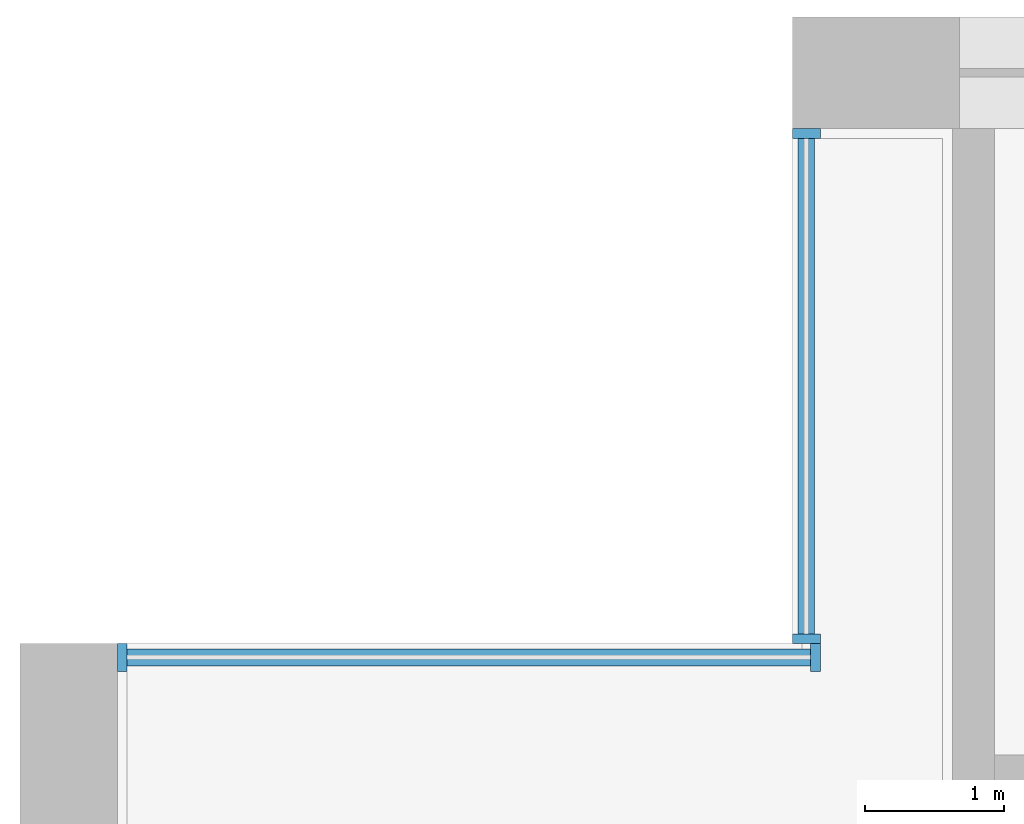
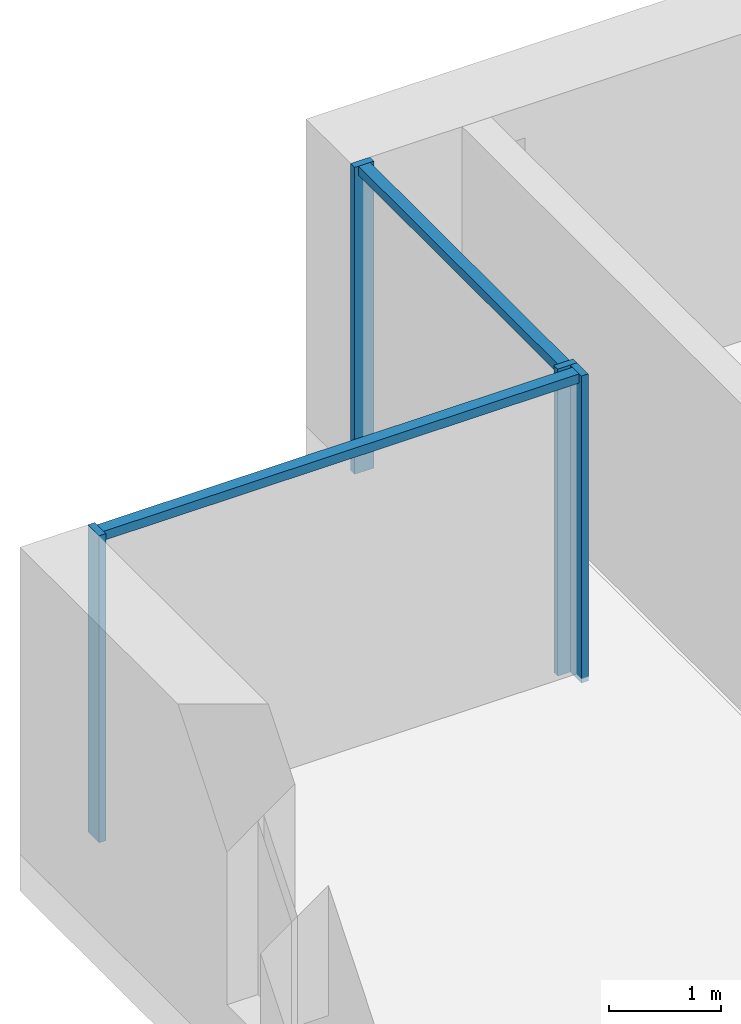
# One storey, part 4 of 17: 6 members, 2 elements without a shape of their own.
"""IFC4 building model written with IfcOpenShell, lengths in metres."""

from ifc_helpers import new_model, si_unit, direction, frame, origin, origin_2d, place, context, subcontext, project, spatial, rectangle, extrude, material, material_profile, profile_set, type_object, element, aggregate, save


model = new_model("IFC4")

# Units and contexts
model_context = context("Model", 3, precision=1e-05, world=origin(), true_north=direction((0.0, 1.0)))
body_context = subcontext(model_context, "Body", "Model", "MODEL_VIEW")
ifc_project = project(units=[si_unit("LENGTHUNIT", "METRE"), si_unit("AREAUNIT", "SQUARE_METRE"), si_unit("VOLUMEUNIT", "CUBIC_METRE"), si_unit("PLANEANGLEUNIT", "RADIAN"), si_unit("MASSUNIT", "GRAM", prefix="KILO")], contexts=[model_context])

# Site, building, storey
site_placement = place(None, origin())
site = spatial("IfcSite", under=ifc_project, at=site_placement, CompositionType="ELEMENT")
building_placement = place(site_placement, origin())
building = spatial("IfcBuilding", under=site, at=building_placement, Name="Calvaro Tower", CompositionType="ELEMENT")
storey_placement = place(building_placement, frame((0.0, 0.0, 102.5)))
storey = spatial("IfcBuildingStorey", under=building, at=storey_placement, Name="L25", CompositionType="ELEMENT", Elevation=102.5)

# Curtain wall, members
ifc_material_1 = material(Name="Anodised aluminium", Category="aluminium")
curtain_wall_type = type_object("IfcCurtainWallType", Name="Office curtain wall, middle zone", PredefinedType="NOTDEFINED", material=ifc_material_1)
curtain_wall_1_placement = place(storey_placement, origin())
curtain_wall_1 = element("IfcCurtainWall", 1, at=curtain_wall_1_placement, inside=storey, type_object=curtain_wall_type, Name="CW2 corner curtain wall", PredefinedType="NOTDEFINED")
ifc_material_2 = material(Name="Anodised aluminium", Category="aluminium")
ifc_material_profile_1 = material_profile(ifc_material_2, rectangle(XDim=0.199951171875, YDim=0.070068359375, at=origin_2d()), Name="Mullion S2 70 x 200")
ifc_profile_set_1 = profile_set([ifc_material_profile_1], Name="Anodised aluminium")
member_type_1 = type_object("IfcMemberType", Name="Mullion S2 70 x 200", PredefinedType="MULLION", material=ifc_profile_set_1)
member_1_placement = place(storey_placement, frame((5.64990234375, 41.534912109375, 0.0), z_axis=(0.0, 0.0, 1.0), x_axis=(-1.0, 0.0, 0.0)))
member_1 = element("IfcMember", 2, at=member_1_placement, type_object=member_type_1, Name="CW2 mullion 1", PredefinedType="MULLION", context=body_context, shape_type="SweptSolid", body=[
    extrude(rectangle(XDim=0.199951171875, YDim=0.070068359375, at=origin_2d()), origin(), (0.0, 0.0, 1.0), 3.35009765625),
])
member_2_placement = place(storey_placement, frame((5.64990234375, 45.1650390625, 0.0), z_axis=(0.0, 0.0, 1.0), x_axis=(-1.0, 0.0, 0.0)))
member_2 = element("IfcMember", 3, at=member_2_placement, type_object=member_type_1, Name="CW2 mullion 2", PredefinedType="MULLION", context=body_context, shape_type="SweptSolid", body=[
    extrude(rectangle(XDim=0.199951171875, YDim=0.070068359375, at=origin_2d()), origin(), (0.0, 0.0, 1.0), 3.35009765625),
])

curtain_wall_2_placement = place(storey_placement, origin())
curtain_wall_2 = element("IfcCurtainWall", 4, at=curtain_wall_2_placement, inside=storey, type_object=curtain_wall_type, Name="CW2 corner curtain wall", PredefinedType="NOTDEFINED")
member_3_placement = place(storey_placement, frame((0.735107421875, 41.39990234375, 0.0), z_axis=(0.0, 0.0, 1.0), x_axis=(0.0, 1.0, 0.0)))
member_3 = element("IfcMember", 5, at=member_3_placement, type_object=member_type_1, Name="CW2 mullion 1", PredefinedType="MULLION", context=body_context, shape_type="SweptSolid", body=[
    extrude(rectangle(XDim=0.199951171875, YDim=0.070068359375, at=origin_2d()), origin(), (0.0, 0.0, 1.0), 3.35009765625),
])
member_4_placement = place(storey_placement, frame((5.715087890625, 41.39990234375, 0.0), z_axis=(0.0, 0.0, 1.0), x_axis=(0.0, 1.0, 0.0)))
member_4 = element("IfcMember", 6, at=member_4_placement, type_object=member_type_1, Name="CW2 mullion 2", PredefinedType="MULLION", context=body_context, shape_type="SweptSolid", body=[
    extrude(rectangle(XDim=0.199951171875, YDim=0.070068359375, at=origin_2d()), origin(), (0.0, 0.0, 1.0), 3.35009765625),
])

# Member
ifc_material_3 = material(Name="Anodised aluminium", Category="aluminium")
ifc_material_profile_2 = material_profile(ifc_material_3, rectangle(XDim=0.1201171875, YDim=0.10009765625, at=origin_2d()), Name="Transom S2 100 x 120")
ifc_profile_set_2 = profile_set([ifc_material_profile_2], Name="Anodised aluminium")
member_type_2 = type_object("IfcMemberType", Name="Transom S2 100 x 120", PredefinedType="USERDEFINED", material=ifc_profile_set_2)
member_5_placement = place(storey_placement, frame((5.64990234375, 41.570068359375, 3.300048828125), z_axis=(0.0, 1.0, 0.0), x_axis=(-1.0, 0.0, 0.0)))
member_5 = element("IfcMember", 7, at=member_5_placement, type_object=member_type_2, Name="CW2 transom 1.1", ObjectType="TRANSOM", PredefinedType="USERDEFINED", context=body_context, shape_type="SweptSolid", body=[
    extrude(rectangle(XDim=0.1201171875, YDim=0.10009765625, at=origin_2d()), origin(), (0.0, 0.0, 1.0), 3.559814453125),
])

aggregate(curtain_wall_1, [member_1, member_2, member_5])

member_6_placement = place(storey_placement, frame((0.77001953125, 41.39990234375, 3.300048828125), z_axis=(1.0, 0.0, 0.0), x_axis=(0.0, 1.0, 0.0)))
member_6 = element("IfcMember", 8, at=member_6_placement, type_object=member_type_2, Name="CW2 transom 1.1", ObjectType="TRANSOM", PredefinedType="USERDEFINED", context=body_context, shape_type="SweptSolid", body=[
    extrude(rectangle(XDim=0.1201171875, YDim=0.10009765625, at=origin_2d()), origin(), (0.0, 0.0, 1.0), 4.909912109375),
])

aggregate(curtain_wall_2, [member_3, member_4, member_6])

save(model, "model.ifc")
